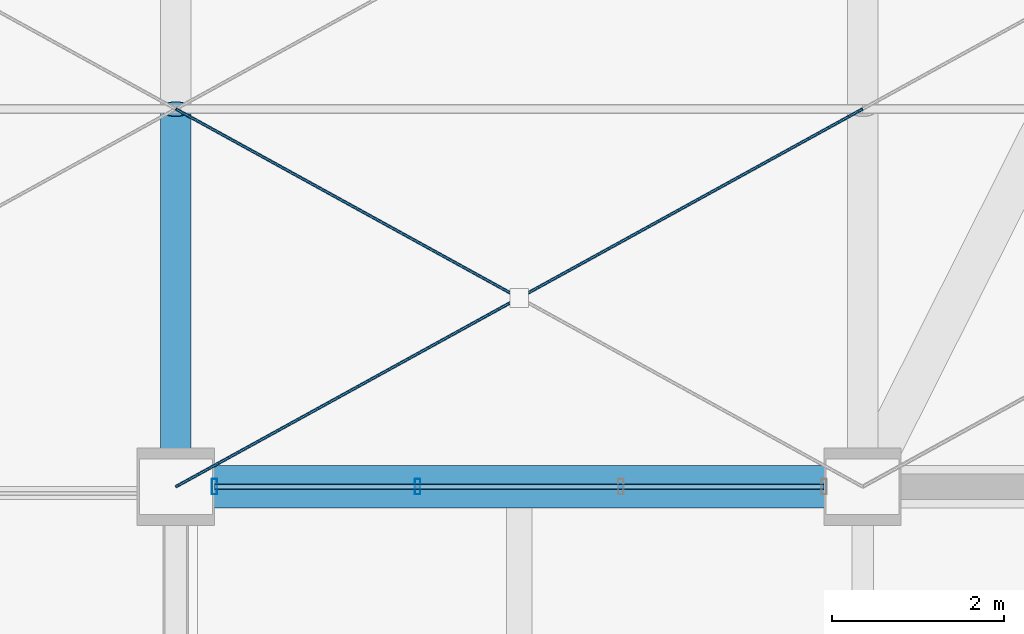
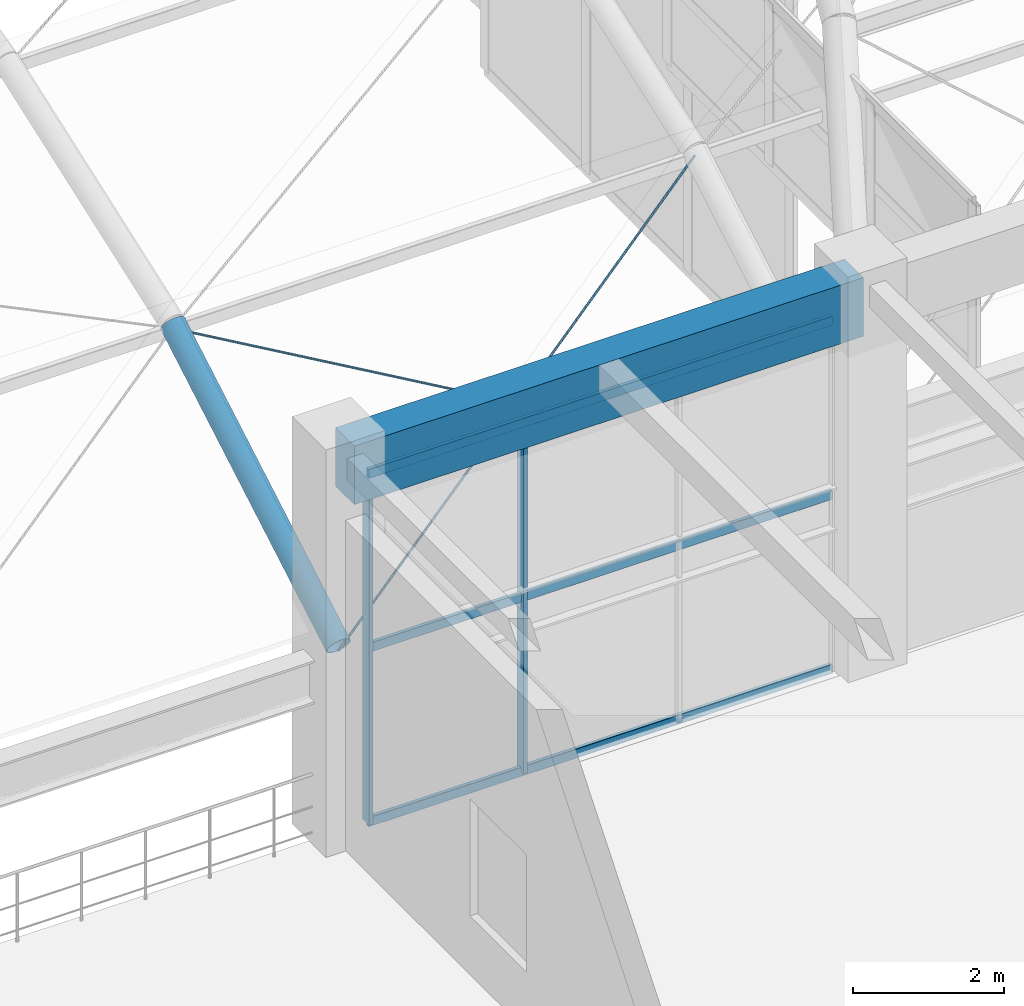
# One storey, part 12 of 163: 7 members, 2 beams, 1 element without a shape of its own.
"""IFC4 building model written with IfcOpenShell, lengths in metres."""

from ifc_helpers import new_model, si_unit, direction, frame, origin, origin_2d, place, context, subcontext, project, spatial, rectangle, hollow_rectangle, circle, hollow_circle, extrude, material, material_profile, profile_set, type_object, element, aggregate, save


model = new_model("IFC4")

# Units and contexts
model_context = context("Model", 3, precision=1e-05, world=origin(), true_north=direction((0.0, 1.0)))
body_context = subcontext(model_context, "Body", "Model", "MODEL_VIEW")
ifc_project = project(units=[si_unit("LENGTHUNIT", "METRE"), si_unit("AREAUNIT", "SQUARE_METRE"), si_unit("VOLUMEUNIT", "CUBIC_METRE"), si_unit("PLANEANGLEUNIT", "RADIAN"), si_unit("MASSUNIT", "GRAM", prefix="KILO")], contexts=[model_context])

# Site, building, storey
site_placement = place(None, origin())
site = spatial("IfcSite", under=ifc_project, at=site_placement, CompositionType="ELEMENT")
building_placement = place(site_placement, origin())
building = spatial("IfcBuilding", under=site, at=building_placement, Name="Varnabhumi Central Station", CompositionType="ELEMENT")
storey_placement = place(building_placement, frame((0.0, 0.0, 9.60009765625)))
storey = spatial("IfcBuildingStorey", under=building, at=storey_placement, Name="L02", CompositionType="ELEMENT", Elevation=9.60009765625)

# Beams
ifc_material_1 = material(Name="Structural steel E350", Category="steel")
ifc_material_profile_1 = material_profile(ifc_material_1, hollow_circle(Radius=0.177734375, WallThickness=0.012451171875, at=origin_2d()), Name="Structural steel E350", Category="steel")
ifc_profile_set_1 = profile_set([ifc_material_profile_1], Name="Structural steel E350")
beam_type_1 = type_object("IfcBeamType", Name="BM-ARCH-CHS355", PredefinedType="BEAM", material=ifc_profile_set_1)
beam_1_placement = place(storey_placement, frame((32.0, 36.0, 3.0), z_axis=(0.0, 0.86481784928, 0.502085737267), x_axis=(-1.0, 0.0, 0.0)))
element("IfcBeam", 1, at=beam_1_placement, inside=storey, type_object=beam_type_1, Name="Entrance Portico Vault Arch Rib 3 Seg 1", PredefinedType="BEAM", context=body_context, shape_type="SweptSolid", body=[
    extrude(hollow_circle(Radius=0.177734375, WallThickness=0.012451171875, at=origin_2d()), origin(), (0.0, 0.0, 1.0), 5.087646484375),
])
ifc_material_2 = material(Name="Concrete M40", Category="concrete")
ifc_material_profile_2 = material_profile(ifc_material_2, rectangle(XDim=0.5, YDim=0.949951171875, at=origin_2d()), Name="Concrete M40", Category="concrete")
ifc_profile_set_2 = profile_set([ifc_material_profile_2], Name="Concrete M40")
beam_type_2 = type_object("IfcBeamType", Name="BM-RC-950x500", PredefinedType="BEAM", material=ifc_profile_set_2)
beam_2_placement = place(storey_placement, frame((32.10009765625, 36.0, 5.875), z_axis=(1.0, 0.0, 0.0), x_axis=(0.0, 1.0, 0.0)))
element("IfcBeam", 2, at=beam_2_placement, inside=storey, type_object=beam_type_2, Name="Beam L02-E:5-6", PredefinedType="BEAM", context=body_context, shape_type="SweptSolid", body=[
    extrude(rectangle(XDim=0.5, YDim=0.949951171875, at=origin_2d()), origin(), (0.0, 0.0, 1.0), 7.7998046875),
])

# Curtain wall, members
ifc_material_3 = material(Name="Anodised aluminium 6063-T6", Category="aluminium")
curtain_wall_type = type_object("IfcCurtainWallType", Name="CW-SPINE-SCREEN-L2", PredefinedType="NOTDEFINED", material=ifc_material_3)
curtain_wall_placement = place(storey_placement, origin())
curtain_wall = element("IfcCurtainWall", 3, at=curtain_wall_placement, inside=storey, type_object=curtain_wall_type, Name="Curtain Wall CW-SS200", PredefinedType="NOTDEFINED")
ifc_material_profile_3 = material_profile(ifc_material_3, hollow_rectangle(XDim=0.06494140625, YDim=0.179931640625, WallThickness=0.00390625, InnerFilletRadius=0.001953125, OuterFilletRadius=0.006103515625, at=origin_2d()), Name="Anodised aluminium 6063-T6", Category="aluminium")
ifc_profile_set_3 = profile_set([ifc_material_profile_3], Name="Anodised aluminium 6063-T6")
member_type_1 = type_object("IfcMemberType", Name="CW-MUL-180", PredefinedType="MULLION", material=ifc_profile_set_3)
member_1_placement = place(storey_placement, frame((32.449951171875, 36.0, 0.0), z_axis=(0.0, 0.0, 1.0), x_axis=(1.0, 0.0, 0.0)))
member_1 = element("IfcMember", 4, at=member_1_placement, type_object=member_type_1, Name="Curtain Wall Mullion CW-SS200-M1", PredefinedType="MULLION", context=body_context, shape_type="SweptSolid", body=[
    extrude(hollow_rectangle(XDim=0.06494140625, YDim=0.179931640625, WallThickness=0.00390625, InnerFilletRadius=0.001953125, OuterFilletRadius=0.006103515625, at=origin_2d()), origin(), (0.0, 0.0, 1.0), 5.639892578125),
])
member_2_placement = place(storey_placement, frame((34.816650390625, 36.0, 0.0), z_axis=(0.0, 0.0, 1.0), x_axis=(1.0, 0.0, 0.0)))
member_2 = element("IfcMember", 5, at=member_2_placement, type_object=member_type_1, Name="Curtain Wall Mullion CW-SS200-M2", PredefinedType="MULLION", context=body_context, shape_type="SweptSolid", body=[
    extrude(hollow_rectangle(XDim=0.06494140625, YDim=0.179931640625, WallThickness=0.00390625, InnerFilletRadius=0.001953125, OuterFilletRadius=0.006103515625, at=origin_2d()), origin(), (0.0, 0.0, 1.0), 5.639892578125),
])
ifc_material_profile_4 = material_profile(ifc_material_3, hollow_rectangle(XDim=0.06005859375, YDim=0.14990234375, WallThickness=0.00390625, InnerFilletRadius=0.001953125, OuterFilletRadius=0.006103515625, at=origin_2d()), Name="Anodised aluminium 6063-T6", Category="aluminium")
ifc_profile_set_4 = profile_set([ifc_material_profile_4], Name="Anodised aluminium 6063-T6")
member_type_2 = type_object("IfcMemberType", Name="CW-TR-150", PredefinedType="USERDEFINED", material=ifc_profile_set_4)
member_3_placement = place(storey_placement, frame((32.449951171875, 36.0, 0.0), z_axis=(1.0, 0.0, 0.0), x_axis=(0.0, 1.0, 0.0)))
member_3 = element("IfcMember", 6, at=member_3_placement, type_object=member_type_2, Name="Curtain Wall Transom CW-SS200-T1", ObjectType="TRANSOM", PredefinedType="USERDEFINED", context=body_context, shape_type="SweptSolid", body=[
    extrude(hollow_rectangle(XDim=0.06005859375, YDim=0.14990234375, WallThickness=0.00390625, InnerFilletRadius=0.001953125, OuterFilletRadius=0.006103515625, at=origin_2d()), origin(), (0.0, 0.0, 1.0), 7.10009765625),
])
member_4_placement = place(storey_placement, frame((32.449951171875, 36.0, 2.81982421875), z_axis=(1.0, 0.0, 0.0), x_axis=(0.0, 1.0, 0.0)))
member_4 = element("IfcMember", 7, at=member_4_placement, type_object=member_type_2, Name="Curtain Wall Transom CW-SS200-T2", ObjectType="TRANSOM", PredefinedType="USERDEFINED", context=body_context, shape_type="SweptSolid", body=[
    extrude(hollow_rectangle(XDim=0.06005859375, YDim=0.14990234375, WallThickness=0.00390625, InnerFilletRadius=0.001953125, OuterFilletRadius=0.006103515625, at=origin_2d()), origin(), (0.0, 0.0, 1.0), 7.10009765625),
])
member_5_placement = place(storey_placement, frame((32.449951171875, 36.0, 5.639892578125), z_axis=(1.0, 0.0, 0.0), x_axis=(0.0, 1.0, 0.0)))
member_5 = element("IfcMember", 8, at=member_5_placement, type_object=member_type_2, Name="Curtain Wall Transom CW-SS200-T3", ObjectType="TRANSOM", PredefinedType="USERDEFINED", context=body_context, shape_type="SweptSolid", body=[
    extrude(hollow_rectangle(XDim=0.06005859375, YDim=0.14990234375, WallThickness=0.00390625, InnerFilletRadius=0.001953125, OuterFilletRadius=0.006103515625, at=origin_2d()), origin(), (0.0, 0.0, 1.0), 7.10009765625),
])
aggregate(curtain_wall, [member_1, member_2, member_3, member_4, member_5])

# Members
ifc_material_4 = material(Name="Spiral-strand steel S1570", Category="steel")
ifc_material_profile_5 = material_profile(ifc_material_4, circle(Radius=0.01806640625, at=origin_2d()), Name="Spiral-strand steel S1570", Category="steel")
ifc_profile_set_5 = profile_set([ifc_material_profile_5], Name="Spiral-strand steel S1570")
member_type_3 = type_object("IfcMemberType", Name="MBR-CABLE-D36", PredefinedType="USERDEFINED", material=ifc_profile_set_5)
member_6_placement = place(storey_placement, frame((32.0, 36.0, 2.919921875), z_axis=(0.843816502733, 0.464088776008, 0.269435182742), x_axis=(-0.481910537812, 0.876220425204, 0.0)))
element("IfcMember", 9, at=member_6_placement, inside=storey, type_object=member_type_3, Name="Entrance Portico Vault Cable-Net Tie B3-P1A", ObjectType="TENSION CABLE", PredefinedType="USERDEFINED", context=body_context, shape_type="SweptSolid", body=[
    extrude(circle(Radius=0.01806640625, at=origin_2d()), origin(), (0.0, 0.0, 1.0), 9.480712890625),
])
member_7_placement = place(storey_placement, frame((32.0, 40.39990234375, 5.474365234375), z_axis=(0.843822357156, -0.46409199587, -0.269411300677), x_axis=(0.481910537812, 0.876220425204, 0.0)))
element("IfcMember", 10, at=member_7_placement, inside=storey, type_object=member_type_3, Name="Entrance Portico Vault Cable-Net Split Tie B3-P1B1", ObjectType="TENSION CABLE", PredefinedType="USERDEFINED", context=body_context, shape_type="SweptSolid", body=[
    extrude(circle(Radius=0.01806640625, at=origin_2d()), origin(), (0.0, 0.0, 1.0), 4.740234375),
])

save(model, "model.ifc")
